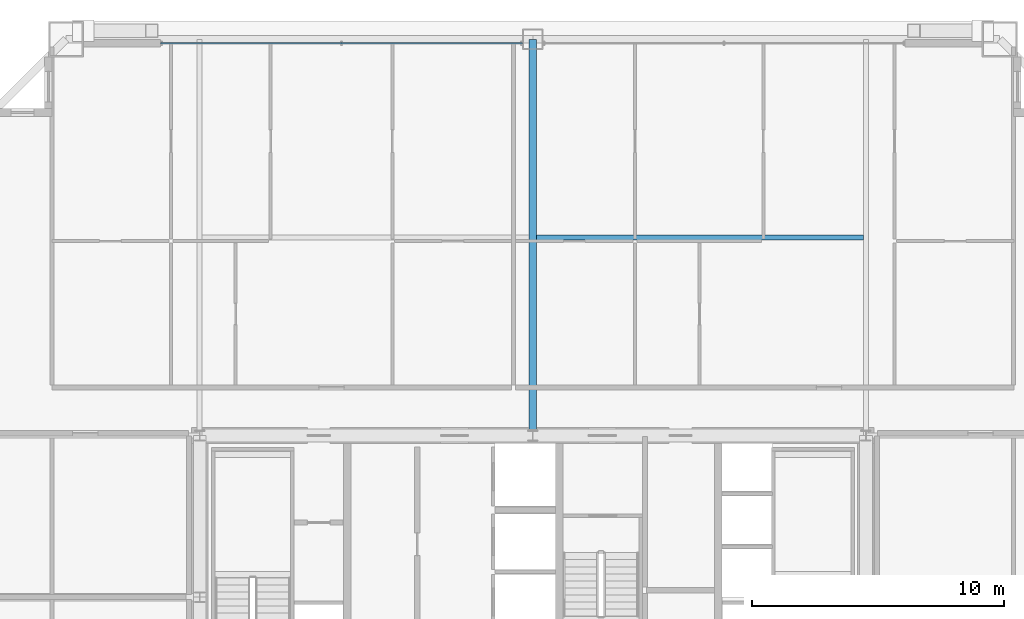
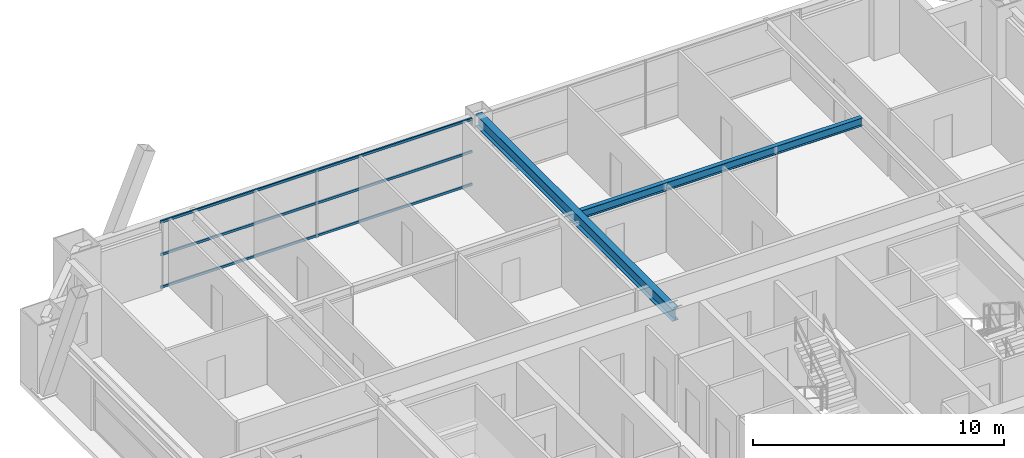
# One storey, part 35 of 45: 3 members, 2 beams, 1 element without a shape of its own.
"""IFC4 building model written with IfcOpenShell, lengths in metres."""

from ifc_helpers import new_model, si_unit, direction, frame, origin, origin_2d, place, context, subcontext, project, spatial, hollow_rectangle, i_section, extrude, source, transform, mapped, material, layer, layer_set, material_profile, profile_set, type_object, element, aggregate, save


model = new_model("IFC4")

# Units and contexts
model_context = context("Model", 3, precision=1e-05, world=origin(), true_north=direction((0.0, 1.0)))
body_context = subcontext(model_context, "Body", "Model", "MODEL_VIEW")
ifc_project = project(units=[si_unit("LENGTHUNIT", "METRE"), si_unit("AREAUNIT", "SQUARE_METRE"), si_unit("VOLUMEUNIT", "CUBIC_METRE"), si_unit("PLANEANGLEUNIT", "RADIAN"), si_unit("MASSUNIT", "GRAM", prefix="KILO"), si_unit("THERMODYNAMICTEMPERATUREUNIT", "KELVIN"), si_unit("POWERUNIT", "WATT")], contexts=[model_context])

# Site, building, storey
site_placement = place(None, origin())
site = spatial("IfcSite", under=ifc_project, at=site_placement, CompositionType="ELEMENT")
building_placement = place(site_placement, origin())
building = spatial("IfcBuilding", under=site, at=building_placement, Name="Yuzanri Waterfront Tower", CompositionType="ELEMENT")
storey_placement = place(building_placement, frame((0.0, 0.0, 212.5)))
storey = spatial("IfcBuildingStorey", under=building, at=storey_placement, Name="L56", CompositionType="ELEMENT", Elevation=212.5)

# Beams
ifc_material_1 = material(Name="Steel Q355B", Category="steel")
ifc_material_profile_1 = material_profile(ifc_material_1, i_section(OverallWidth=0.199951171875, OverallDepth=0.39990234375, WebThickness=0.008056640625, FlangeThickness=0.012939453125, at=origin_2d()), Name="HN 400x200x8x13")
ifc_profile_set_1 = profile_set([ifc_material_profile_1], Name="Steel Q355B")
beam_type_1 = type_object("IfcBeamType", Name="Floor Joist Q355B HN 400x200", PredefinedType="JOIST", material=ifc_profile_set_1)
shared_shape_1 = source(origin(), body_context, "Body", "SweptSolid", [
    extrude(i_section(OverallWidth=0.199951171875, OverallDepth=0.39990234375, WebThickness=0.008056640625, FlangeThickness=0.012939453125, at=origin_2d()), origin(), (0.0, 0.0, 1.0), 12.9501953125),
])
beam_1_placement = place(storey_placement, frame((37.14990234375, 40.050048828125, 3.080078125), z_axis=(1.0, 0.0, 0.0), x_axis=(0.0, 1.0, 0.0)))
element("IfcBeam", 1, at=beam_1_placement, inside=storey, type_object=beam_type_1, Name="L56 North Bay Joist E", PredefinedType="JOIST", context=body_context, shape_type="MappedRepresentation", body=[
    mapped(shared_shape_1, transform((0.0, 0.0, 0.0), scale=1.0)),
])
ifc_material_2 = material(Name="Steel Q355B", Category="steel")
ifc_material_profile_2 = material_profile(ifc_material_2, i_section(OverallWidth=0.300048828125, OverallDepth=0.587890625, WebThickness=0.011962890625, FlangeThickness=0.02001953125, at=origin_2d()), Name="HM 588x300x12x20")
ifc_profile_set_2 = profile_set([ifc_material_profile_2], Name="Steel Q355B")
beam_type_2 = type_object("IfcBeamType", Name="Primary Floor Girder Q355B HM 588x300", PredefinedType="BEAM", material=ifc_profile_set_2)
shared_shape_2 = source(origin(), body_context, "Body", "SweptSolid", [
    extrude(i_section(OverallWidth=0.300048828125, OverallDepth=0.587890625, WebThickness=0.011962890625, FlangeThickness=0.02001953125, at=origin_2d()), origin(), (0.0, 0.0, 1.0), 15.699951171875),
])
beam_2_placement = place(storey_placement, frame((37.0, 32.199951171875, 2.986083984375), z_axis=(0.0, 1.0, 0.0), x_axis=(-1.0, 0.0, 0.0)))
element("IfcBeam", 2, at=beam_2_placement, inside=storey, type_object=beam_type_2, Name="L56 North Grid Girder", PredefinedType="BEAM", context=body_context, shape_type="MappedRepresentation", body=[
    mapped(shared_shape_2, transform((0.0, 0.0, 0.0), scale=1.0)),
])

# Curtain wall, members
ifc_material_3 = material(Name="Anodized Architectural Bronze", Category="metal")
ifc_layer = layer(ifc_material_3, 0.159912109375)
ifc_layer_set = layer_set([ifc_layer], Name="Anodized Architectural Bronze")
curtain_wall_type = type_object("IfcCurtainWallType", Name="Anodized Bronze Mid-Rise Residential Acoustic Unitized Curtain Wall 7200", PredefinedType="NOTDEFINED", material=ifc_layer_set)
curtain_wall_placement = place(storey_placement, origin())
curtain_wall = element("IfcCurtainWall", 3, at=curtain_wall_placement, inside=storey, type_object=curtain_wall_type, Name="L56 Curtain Wall CW-L56-NL", PredefinedType="NOTDEFINED")
ifc_material_4 = material(Name="Anodized Architectural Bronze", Category="metal")
ifc_material_profile_3 = material_profile(ifc_material_4, hollow_rectangle(XDim=0.06494140625, YDim=0.1201171875, WallThickness=0.00341796875, at=origin_2d()), Name="CWT 65x120")
ifc_profile_set_3 = profile_set([ifc_material_profile_3], Name="Anodized Architectural Bronze")
member_type = type_object("IfcMemberType", Name="Anodized Bronze Secondary Curtain-Wall Transom 65x120", PredefinedType="USERDEFINED", material=ifc_profile_set_3)
shared_shape_3 = source(origin(), body_context, "Body", "SweptSolid", [
    extrude(hollow_rectangle(XDim=0.06494140625, YDim=0.1201171875, WallThickness=0.00341796875, at=origin_2d()), origin(), (0.0, 0.0, 1.0), 14.35009765625),
])
member_1_placement = place(storey_placement, frame((22.25, 47.75, 0.050048828125), z_axis=(1.0, 0.0, 0.0), x_axis=(0.0, 1.0, 0.0)))
member_1 = element("IfcMember", 4, at=member_1_placement, type_object=member_type, Name="CW-L56-NL Transom 1", ObjectType="TRANSOM", PredefinedType="USERDEFINED", context=body_context, shape_type="MappedRepresentation", body=[
    mapped(shared_shape_3, transform((0.0, 0.0, 0.0), scale=1.0)),
])
member_2_placement = place(storey_placement, frame((22.25, 47.75, 1.639892578125), z_axis=(1.0, 0.0, 0.0), x_axis=(0.0, 1.0, 0.0)))
member_2 = element("IfcMember", 5, at=member_2_placement, type_object=member_type, Name="CW-L56-NL Transom 2", ObjectType="TRANSOM", PredefinedType="USERDEFINED", context=body_context, shape_type="MappedRepresentation", body=[
    mapped(shared_shape_3, transform((0.0, 0.0, 0.0), scale=1.0)),
])
member_3_placement = place(storey_placement, frame((22.25, 47.75, 3.22998046875), z_axis=(1.0, 0.0, 0.0), x_axis=(0.0, 1.0, 0.0)))
member_3 = element("IfcMember", 6, at=member_3_placement, type_object=member_type, Name="CW-L56-NL Transom 3", ObjectType="TRANSOM", PredefinedType="USERDEFINED", context=body_context, shape_type="MappedRepresentation", body=[
    mapped(shared_shape_3, transform((0.0, 0.0, 0.0), scale=1.0)),
])
aggregate(curtain_wall, [member_1, member_2, member_3])

save(model, "model.ifc")
